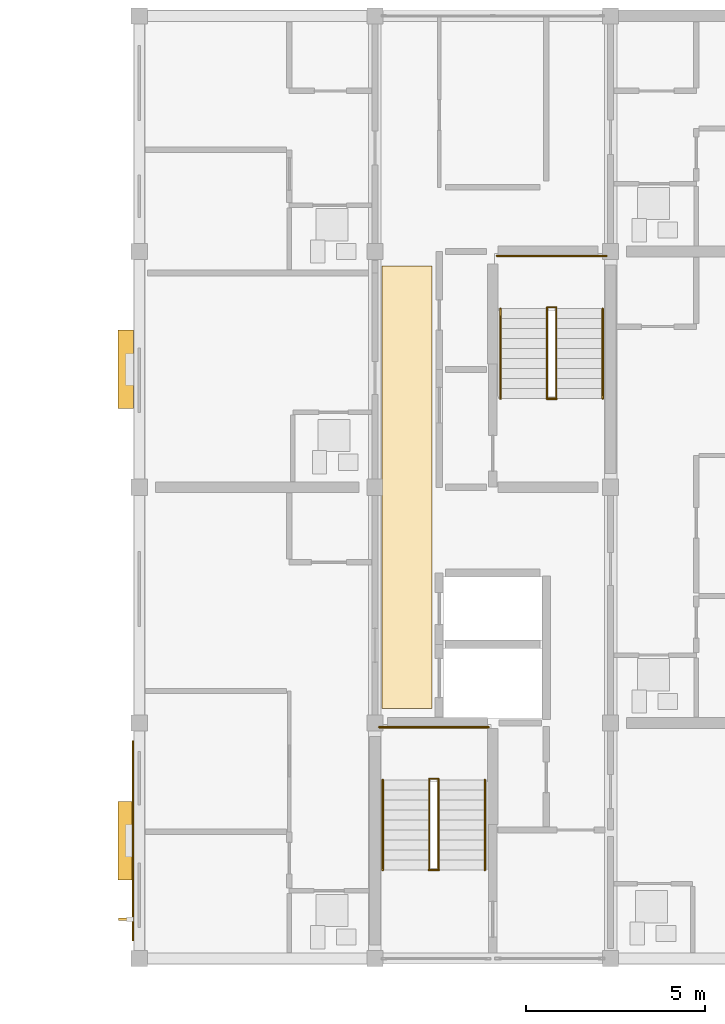
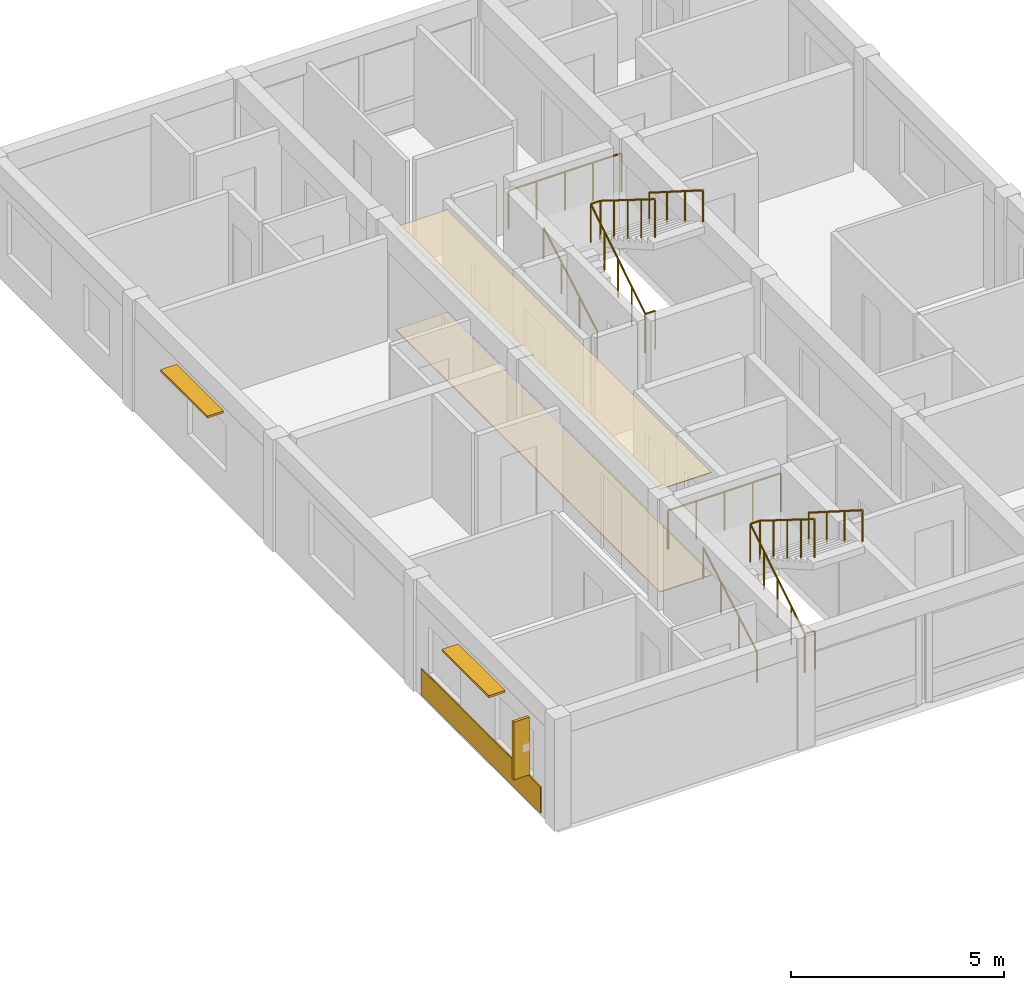
# One storey, part 49 of 53: 10 railings, 3 coverings, 3 shading devices.
"""IFC4 building model written with IfcOpenShell, lengths in metres."""

from ifc_helpers import new_model, si_unit, direction, frame, origin, origin_2d, place, context, subcontext, project, spatial, polyline, rectangle, circle, outline, extrude, material, layer, layer_set, type_object, element, save


model = new_model("IFC4")

# Units and contexts
model_context = context("Model", 3, precision=1e-05, world=origin(), true_north=direction((0.0, 1.0)))
body_context = subcontext(model_context, "Body", "Model", "MODEL_VIEW")
ifc_project = project(units=[si_unit("LENGTHUNIT", "METRE"), si_unit("AREAUNIT", "SQUARE_METRE"), si_unit("VOLUMEUNIT", "CUBIC_METRE"), si_unit("PLANEANGLEUNIT", "RADIAN"), si_unit("MASSUNIT", "GRAM", prefix="KILO")], contexts=[model_context])

# Site, building, storey
site_placement = place(None, origin())
site = spatial("IfcSite", under=ifc_project, at=site_placement, CompositionType="ELEMENT")
building_placement = place(site_placement, origin())
building = spatial("IfcBuilding", under=site, at=building_placement, Name="Kernevlak Ridge Housing Community", CompositionType="ELEMENT")
storey_placement = place(building_placement, frame((0.0, 0.0, 18.0)))
storey = spatial("IfcBuildingStorey", under=building, at=storey_placement, Name="L05", CompositionType="ELEMENT", Elevation=18.0)

# Coverings
ifc_material_1 = material(Name="Acoustic perforated gypsum ceiling board")
ifc_layer_1 = layer(ifc_material_1, 0.02001953125, Name="Acoustic perforated gypsum ceiling board")
ifc_layer_set_1 = layer_set([ifc_layer_1], Name="Acoustic perforated gypsum ceiling board")
covering_type_1 = type_object("IfcCoveringType", Name="CV-01", PredefinedType="CEILING", material=ifc_layer_set_1)
covering_1_placement = place(storey_placement, frame((0.0, 0.0, 2.93994140625)))
element("IfcCovering", 1, at=covering_1_placement, inside=storey, type_object=covering_type_1, Name="Block C L05 lobby acoustic ceiling", PredefinedType="CEILING", context=body_context, shape_type="SweptSolid", body=[
    extrude(outline(polyline([(134.199951171875, 22.60009765625), (134.199951171875, 35.0), (132.800048828125, 35.0), (132.800048828125, 22.60009765625), (134.199951171875, 22.60009765625)])), origin(), (0.0, 0.0, 1.0), 0.02001953125),
])
ifc_material_2 = material(Name="Polished pale terrazzo tile flooring")
ifc_layer_2 = layer(ifc_material_2, 0.02490234375, Name="Polished pale terrazzo tile flooring")
ifc_layer_set_2 = layer_set([ifc_layer_2], Name="Polished pale terrazzo tile flooring")
covering_type_2 = type_object("IfcCoveringType", Name="CV-02", PredefinedType="FLOORING", material=ifc_layer_set_2)
covering_2_placement = place(storey_placement, origin())
element("IfcCovering", 2, at=covering_2_placement, inside=storey, type_object=covering_type_2, Name="Block C L05 lobby terrazzo flooring", PredefinedType="FLOORING", context=body_context, shape_type="SweptSolid", body=[
    extrude(outline(polyline([(134.199951171875, 22.60009765625), (134.199951171875, 35.0), (132.800048828125, 35.0), (132.800048828125, 22.60009765625), (134.199951171875, 22.60009765625)])), origin(), (0.0, 0.0, 1.0), 0.02490234375),
])
ifc_material_3 = material(Name="Aluminium EN AW-5005 enamelled cladding", Category="aluminium")
ifc_layer_3 = layer(ifc_material_3, 0.030029296875, Name="Aluminium EN AW-5005 enamelled cladding")
ifc_layer_set_3 = layer_set([ifc_layer_3], Name="Aluminium EN AW-5005 enamelled cladding")
covering_type_3 = type_object("IfcCoveringType", Name="CV-04", PredefinedType="CLADDING", material=ifc_layer_set_3)
covering_3_placement = place(storey_placement, frame((125.824951171875, 18.89990234375, 0.074951171875), z_axis=(0.0, 0.0, 1.0), x_axis=(0.0, 1.0, 0.0)))
element("IfcCovering", 3, at=covering_3_placement, inside=storey, type_object=covering_type_3, Name="Block C L05 De Stijl blue spandrel cladding", PredefinedType="CLADDING", context=body_context, shape_type="SweptSolid", body=[
    extrude(rectangle(XDim=5.60009765625, YDim=0.030029296875, at=origin_2d()), origin(), (0.0, 0.0, 1.0), 0.75),
])

# Railings
ifc_material_4 = material(Name="Steel S355", Category="steel")
railing_type_1 = type_object("IfcRailingType", Name="GR-02", PredefinedType="GUARDRAIL", material=ifc_material_4)
railing_1_placement = place(storey_placement, frame((134.110107421875, 18.080078125, 0.0)))
element("IfcRailing", 4, at=railing_1_placement, inside=storey, type_object=railing_type_1, Name="Stair ST-C1 L05 well slot guard", PredefinedType="GUARDRAIL", context=body_context, shape_type="SweptSolid", body=[
    extrude(circle(Radius=0.02392578125, at=origin_2d()), frame((0.0, 0.0, 1.09619140625), z_axis=(1.0, 0.0, 0.0), x_axis=(0.0, 1.0, 0.0)), (0.0, 0.0, 1.0), 0.27978515625),
    extrude(circle(Radius=0.02099609375, at=origin_2d()), origin(), (0.0, 0.0, 1.0), 1.072021484375),
    extrude(circle(Radius=0.02099609375, at=origin_2d()), frame((0.27978515625, 0.0, 0.0)), (0.0, 0.0, 1.0), 1.072021484375),
])
railing_2_placement = place(storey_placement, frame((134.1201171875, 18.080078125, 0.0)))
element("IfcRailing", 5, at=railing_2_placement, inside=storey, type_object=railing_type_1, Name="Stair ST-C1 L05 inner well guardrail", PredefinedType="GUARDRAIL", context=body_context, shape_type="SweptSolid", body=[
    extrude(circle(Radius=0.02392578125, at=origin_2d()), frame((0.0, 0.0, 1.09619140625), z_axis=(0.0, 0.847966497998, 0.530049826217), x_axis=(-1.0, 0.0, 0.0)), (0.0, 0.0, 1.0), 3.018798828125),
    extrude(circle(Radius=0.02392578125, at=origin_2d()), frame((0.0, 2.559814453125, 2.6962890625), z_axis=(1.0, 0.0, 0.0), x_axis=(0.0, 1.0, 0.0)), (0.0, 0.0, 1.0), 0.259765625),
    extrude(circle(Radius=0.02392578125, at=origin_2d()), frame((0.259765625, 2.559814453125, 2.6962890625), z_axis=(0.0, -0.848002847666, 0.529991670077), x_axis=(1.0, 0.0, 0.0)), (0.0, 0.0, 1.0), 3.0185546875),
    extrude(circle(Radius=0.02099609375, at=origin_2d()), origin(), (0.0, 0.0, 1.0), 1.072021484375),
    extrude(circle(Radius=0.02099609375, at=origin_2d()), frame((0.0, 0.639892578125, 0.39990234375)), (0.0, 0.0, 1.0), 1.072021484375),
    extrude(circle(Radius=0.02099609375, at=origin_2d()), frame((0.0, 1.27978515625, 0.800048828125)), (0.0, 0.0, 1.0), 1.072021484375),
    extrude(circle(Radius=0.02099609375, at=origin_2d()), frame((0.0, 1.919921875, 1.2001953125)), (0.0, 0.0, 1.0), 1.072021484375),
    extrude(circle(Radius=0.02099609375, at=origin_2d()), frame((0.0, 2.559814453125, 1.60009765625)), (0.0, 0.0, 1.0), 1.072021484375),
    extrude(circle(Radius=0.02099609375, at=origin_2d()), frame((0.259765625, 2.559814453125, 1.60009765625)), (0.0, 0.0, 1.0), 1.072021484375),
    extrude(circle(Radius=0.02099609375, at=origin_2d()), frame((0.259765625, 1.919921875, 2.0)), (0.0, 0.0, 1.0), 1.072021484375),
    extrude(circle(Radius=0.02099609375, at=origin_2d()), frame((0.259765625, 1.27978515625, 2.39990234375)), (0.0, 0.0, 1.0), 1.072021484375),
    extrude(circle(Radius=0.02099609375, at=origin_2d()), frame((0.259765625, 0.639892578125, 2.800048828125)), (0.0, 0.0, 1.0), 1.072021484375),
    extrude(circle(Radius=0.02099609375, at=origin_2d()), frame((0.259765625, 0.0, 3.199951171875)), (0.0, 0.0, 1.0), 1.072021484375),
])
railing_3_placement = place(storey_placement, frame((132.719970703125, 22.080078125, 1.60009765625)))
element("IfcRailing", 6, at=railing_3_placement, inside=storey, type_object=railing_type_1, Name="Stair ST-C1 L05 half-landing guard", PredefinedType="GUARDRAIL", context=body_context, shape_type="SweptSolid", body=[
    extrude(circle(Radius=0.02392578125, at=origin_2d()), frame((0.0, 0.0, 1.09619140625), z_axis=(1.0, 0.0, 0.0), x_axis=(0.0, 1.0, 0.0)), (0.0, 0.0, 1.0), 3.06005859375),
    extrude(circle(Radius=0.02099609375, at=origin_2d()), origin(), (0.0, 0.0, 1.0), 1.072021484375),
    extrude(circle(Radius=0.02099609375, at=origin_2d()), frame((0.76513671875, 0.0, 0.0)), (0.0, 0.0, 1.0), 1.072021484375),
    extrude(circle(Radius=0.02099609375, at=origin_2d()), frame((1.530029296875, 0.0, 0.0)), (0.0, 0.0, 1.0), 1.072021484375),
    extrude(circle(Radius=0.02099609375, at=origin_2d()), frame((2.294921875, 0.0, 0.0)), (0.0, 0.0, 1.0), 1.072021484375),
    extrude(circle(Radius=0.02099609375, at=origin_2d()), frame((3.06005859375, 0.0, 0.0)), (0.0, 0.0, 1.0), 1.072021484375),
])
railing_4_placement = place(storey_placement, frame((137.409912109375, 31.280029296875, 0.0)))
element("IfcRailing", 7, at=railing_4_placement, inside=storey, type_object=railing_type_1, Name="Stair ST-C2 L05 well slot guard", PredefinedType="GUARDRAIL", context=body_context, shape_type="SweptSolid", body=[
    extrude(circle(Radius=0.02392578125, at=origin_2d()), frame((0.0, 0.0, 1.09619140625), z_axis=(1.0, 0.0, 0.0), x_axis=(0.0, 1.0, 0.0)), (0.0, 0.0, 1.0), 0.280029296875),
    extrude(circle(Radius=0.02099609375, at=origin_2d()), origin(), (0.0, 0.0, 1.0), 1.072021484375),
    extrude(circle(Radius=0.02099609375, at=origin_2d()), frame((0.280029296875, 0.0, 0.0)), (0.0, 0.0, 1.0), 1.072021484375),
])
railing_5_placement = place(storey_placement, frame((137.419921875, 31.280029296875, 0.0)))
element("IfcRailing", 8, at=railing_5_placement, inside=storey, type_object=railing_type_1, Name="Stair ST-C2 L05 inner well guardrail", PredefinedType="GUARDRAIL", context=body_context, shape_type="SweptSolid", body=[
    extrude(circle(Radius=0.02392578125, at=origin_2d()), frame((0.0, 0.0, 1.09619140625), z_axis=(0.0, 0.847989217509, 0.530013478119), x_axis=(-1.0, 0.0, 0.0)), (0.0, 0.0, 1.0), 3.01904296875),
    extrude(circle(Radius=0.02392578125, at=origin_2d()), frame((0.0, 2.56005859375, 2.6962890625), z_axis=(1.0, 0.0, 0.0), x_axis=(0.0, 1.0, 0.0)), (0.0, 0.0, 1.0), 0.260009765625),
    extrude(circle(Radius=0.02392578125, at=origin_2d()), frame((0.260009765625, 2.56005859375, 2.6962890625), z_axis=(0.0, -0.848025563165, 0.529955322851), x_axis=(1.0, 0.0, 0.0)), (0.0, 0.0, 1.0), 3.018798828125),
    extrude(circle(Radius=0.02099609375, at=origin_2d()), origin(), (0.0, 0.0, 1.0), 1.072021484375),
    extrude(circle(Radius=0.02099609375, at=origin_2d()), frame((0.0, 0.64013671875, 0.39990234375)), (0.0, 0.0, 1.0), 1.072021484375),
    extrude(circle(Radius=0.02099609375, at=origin_2d()), frame((0.0, 1.280029296875, 0.800048828125)), (0.0, 0.0, 1.0), 1.072021484375),
    extrude(circle(Radius=0.02099609375, at=origin_2d()), frame((0.0, 1.919921875, 1.2001953125)), (0.0, 0.0, 1.0), 1.072021484375),
    extrude(circle(Radius=0.02099609375, at=origin_2d()), frame((0.0, 2.56005859375, 1.60009765625)), (0.0, 0.0, 1.0), 1.072021484375),
    extrude(circle(Radius=0.02099609375, at=origin_2d()), frame((0.260009765625, 2.56005859375, 1.60009765625)), (0.0, 0.0, 1.0), 1.072021484375),
    extrude(circle(Radius=0.02099609375, at=origin_2d()), frame((0.260009765625, 1.919921875, 2.0)), (0.0, 0.0, 1.0), 1.072021484375),
    extrude(circle(Radius=0.02099609375, at=origin_2d()), frame((0.260009765625, 1.280029296875, 2.39990234375)), (0.0, 0.0, 1.0), 1.072021484375),
    extrude(circle(Radius=0.02099609375, at=origin_2d()), frame((0.260009765625, 0.64013671875, 2.800048828125)), (0.0, 0.0, 1.0), 1.072021484375),
    extrude(circle(Radius=0.02099609375, at=origin_2d()), frame((0.260009765625, 0.0, 3.199951171875)), (0.0, 0.0, 1.0), 1.072021484375),
])
railing_6_placement = place(storey_placement, frame((136.02001953125, 35.280029296875, 1.60009765625)))
element("IfcRailing", 9, at=railing_6_placement, inside=storey, type_object=railing_type_1, Name="Stair ST-C2 L05 half-landing guard", PredefinedType="GUARDRAIL", context=body_context, shape_type="SweptSolid", body=[
    extrude(circle(Radius=0.02392578125, at=origin_2d()), frame((0.0, 0.0, 1.09619140625), z_axis=(1.0, 0.0, 0.0), x_axis=(0.0, 1.0, 0.0)), (0.0, 0.0, 1.0), 3.06005859375),
    extrude(circle(Radius=0.02099609375, at=origin_2d()), origin(), (0.0, 0.0, 1.0), 1.072021484375),
    extrude(circle(Radius=0.02099609375, at=origin_2d()), frame((0.76513671875, 0.0, 0.0)), (0.0, 0.0, 1.0), 1.072021484375),
    extrude(circle(Radius=0.02099609375, at=origin_2d()), frame((1.530029296875, 0.0, 0.0)), (0.0, 0.0, 1.0), 1.072021484375),
    extrude(circle(Radius=0.02099609375, at=origin_2d()), frame((2.294921875, 0.0, 0.0)), (0.0, 0.0, 1.0), 1.072021484375),
    extrude(circle(Radius=0.02099609375, at=origin_2d()), frame((3.06005859375, 0.0, 0.0)), (0.0, 0.0, 1.0), 1.072021484375),
])
ifc_material_5 = material(Name="Stainless steel EN 1.4401", Category="steel")
railing_type_2 = type_object("IfcRailingType", Name="HR-01", PredefinedType="HANDRAIL", material=ifc_material_5)
railing_7_placement = place(storey_placement, frame((132.820068359375, 18.080078125, 0.159912109375)))
element("IfcRailing", 10, at=railing_7_placement, inside=storey, type_object=railing_type_2, Name="Stair ST-C1 L05 flight 1 handrail", PredefinedType="HANDRAIL", context=body_context, shape_type="SweptSolid", body=[
    extrude(circle(Radius=0.02392578125, at=origin_2d()), frame((0.0, 0.0, 0.89599609375), z_axis=(0.0, 0.868217259934, 0.496184229447), x_axis=(-1.0, 0.0, 0.0)), (0.0, 0.0, 1.0), 2.902587890625),
    extrude(circle(Radius=0.02099609375, at=origin_2d()), origin(), (0.0, 0.0, 1.0), 0.871826171875),
    extrude(circle(Radius=0.02099609375, at=origin_2d()), frame((0.0, 0.840087890625, 0.47998046875)), (0.0, 0.0, 1.0), 0.871826171875),
    extrude(circle(Radius=0.02099609375, at=origin_2d()), frame((0.0, 1.679931640625, 0.960205078125)), (0.0, 0.0, 1.0), 0.871826171875),
    extrude(circle(Radius=0.02099609375, at=origin_2d()), frame((0.0, 2.52001953125, 1.440185546875)), (0.0, 0.0, 1.0), 0.871826171875),
])
railing_8_placement = place(storey_placement, frame((135.679931640625, 20.60009765625, 1.60009765625)))
element("IfcRailing", 11, at=railing_8_placement, inside=storey, type_object=railing_type_2, Name="Stair ST-C1 L05 flight 2 handrail", PredefinedType="HANDRAIL", context=body_context, shape_type="SweptSolid", body=[
    extrude(circle(Radius=0.02392578125, at=origin_2d()), frame((0.0, 0.0, 0.89599609375), z_axis=(0.0, -0.84423690053, 0.535970200462), x_axis=(1.0, 0.0, 0.0)), (0.0, 0.0, 1.0), 2.98486328125),
    extrude(circle(Radius=0.02099609375, at=origin_2d()), origin(), (0.0, 0.0, 1.0), 0.871826171875),
    extrude(circle(Radius=0.02099609375, at=origin_2d()), frame((0.0, -0.840087890625, 0.533203125)), (0.0, 0.0, 1.0), 0.871826171875),
    extrude(circle(Radius=0.02099609375, at=origin_2d()), frame((0.0, -1.679931640625, 1.066650390625)), (0.0, 0.0, 1.0), 0.871826171875),
    extrude(circle(Radius=0.02099609375, at=origin_2d()), frame((0.0, -2.52001953125, 1.599853515625)), (0.0, 0.0, 1.0), 0.871826171875),
])
railing_9_placement = place(storey_placement, frame((136.1201171875, 31.280029296875, 0.159912109375)))
element("IfcRailing", 12, at=railing_9_placement, inside=storey, type_object=railing_type_2, Name="Stair ST-C2 L05 flight 1 handrail", PredefinedType="HANDRAIL", context=body_context, shape_type="SweptSolid", body=[
    extrude(circle(Radius=0.02392578125, at=origin_2d()), frame((0.0, 0.0, 0.89599609375), z_axis=(0.0, 0.868217259934, 0.496184229447), x_axis=(-1.0, 0.0, 0.0)), (0.0, 0.0, 1.0), 2.902587890625),
    extrude(circle(Radius=0.02099609375, at=origin_2d()), origin(), (0.0, 0.0, 1.0), 0.871826171875),
    extrude(circle(Radius=0.02099609375, at=origin_2d()), frame((0.0, 0.840087890625, 0.47998046875)), (0.0, 0.0, 1.0), 0.871826171875),
    extrude(circle(Radius=0.02099609375, at=origin_2d()), frame((0.0, 1.679931640625, 0.960205078125)), (0.0, 0.0, 1.0), 0.871826171875),
    extrude(circle(Radius=0.02099609375, at=origin_2d()), frame((0.0, 2.52001953125, 1.440185546875)), (0.0, 0.0, 1.0), 0.871826171875),
])
railing_10_placement = place(storey_placement, frame((138.97998046875, 33.800048828125, 1.60009765625)))
element("IfcRailing", 13, at=railing_10_placement, inside=storey, type_object=railing_type_2, Name="Stair ST-C2 L05 flight 2 handrail", PredefinedType="HANDRAIL", context=body_context, shape_type="SweptSolid", body=[
    extrude(circle(Radius=0.02392578125, at=origin_2d()), frame((0.0, 0.0, 0.89599609375), z_axis=(0.0, -0.84423690053, 0.535970200462), x_axis=(1.0, 0.0, 0.0)), (0.0, 0.0, 1.0), 2.98486328125),
    extrude(circle(Radius=0.02099609375, at=origin_2d()), origin(), (0.0, 0.0, 1.0), 0.871826171875),
    extrude(circle(Radius=0.02099609375, at=origin_2d()), frame((0.0, -0.840087890625, 0.533203125)), (0.0, 0.0, 1.0), 0.871826171875),
    extrude(circle(Radius=0.02099609375, at=origin_2d()), frame((0.0, -1.679931640625, 1.066650390625)), (0.0, 0.0, 1.0), 0.871826171875),
    extrude(circle(Radius=0.02099609375, at=origin_2d()), frame((0.0, -2.52001953125, 1.599853515625)), (0.0, 0.0, 1.0), 0.871826171875),
])

# Shading devices
ifc_material_6 = material(Name="Aluminium EN AW-6060 anodised", Category="aluminium")
ifc_layer_4 = layer(ifc_material_6, 0.06005859375, Name="Aluminium EN AW-6060 anodised")
ifc_layer_set_4 = layer_set([ifc_layer_4], Name="Aluminium EN AW-6060 anodised")
shading_device_type_1 = type_object("IfcShadingDeviceType", Name="LV-01", PredefinedType="JALOUSIE", material=ifc_layer_set_4)
for number, where, z_axis, x_axis, name in (
    (14, (125.6201171875, 18.89990234375, 2.489990234375), (0.0, 0.0, 1.0), (0.0, 1.0, 0.0), "Horizontal solar louvre 31"),
    (15, (125.6201171875, 32.10009765625, 2.489990234375), (0.0, 0.0, 1.0), (0.0, 1.0, 0.0), "Horizontal solar louvre 32"),
):
    element("IfcShadingDevice", number, at=place(storey_placement, frame(where, z_axis=z_axis, x_axis=x_axis)), inside=storey, type_object=shading_device_type_1, Name=name, PredefinedType="JALOUSIE", context=body_context, shape_type="SweptSolid", body=[
        extrude(rectangle(XDim=2.199951171875, YDim=0.43994140625, at=origin_2d()), origin(), (0.0, 0.0, 1.0), 0.06005859375),
    ])
ifc_material_7 = material(Name="Aluminium EN AW-6060 enamelled", Category="aluminium")
shading_device_type_2 = type_object("IfcShadingDeviceType", Name="LV-02", PredefinedType="USERDEFINED", material=ifc_material_7)
shading_device_placement = place(storey_placement, frame((125.6298828125, 16.699951171875, 0.824951171875), z_axis=(0.0, 0.0, 1.0), x_axis=(0.0, 1.0, 0.0)))
element("IfcShadingDevice", 16, at=shading_device_placement, inside=storey, type_object=shading_device_type_2, Name="De Stijl yellow vertical solar fin 31", ObjectType="LOUVRE", PredefinedType="USERDEFINED", context=body_context, shape_type="SweptSolid", body=[
    extrude(rectangle(XDim=0.080078125, YDim=0.419921875, at=origin_2d()), origin(), (0.0, 0.0, 1.0), 1.64990234375),
])

save(model, "model.ifc")
